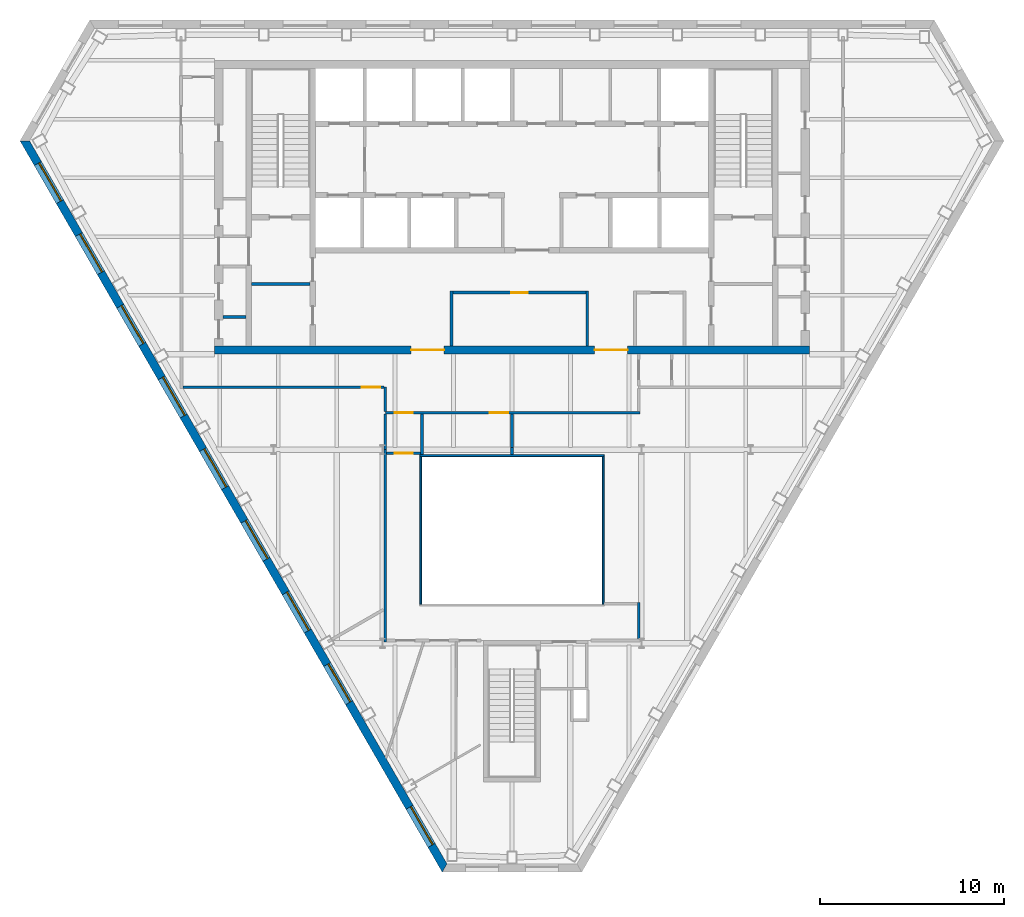
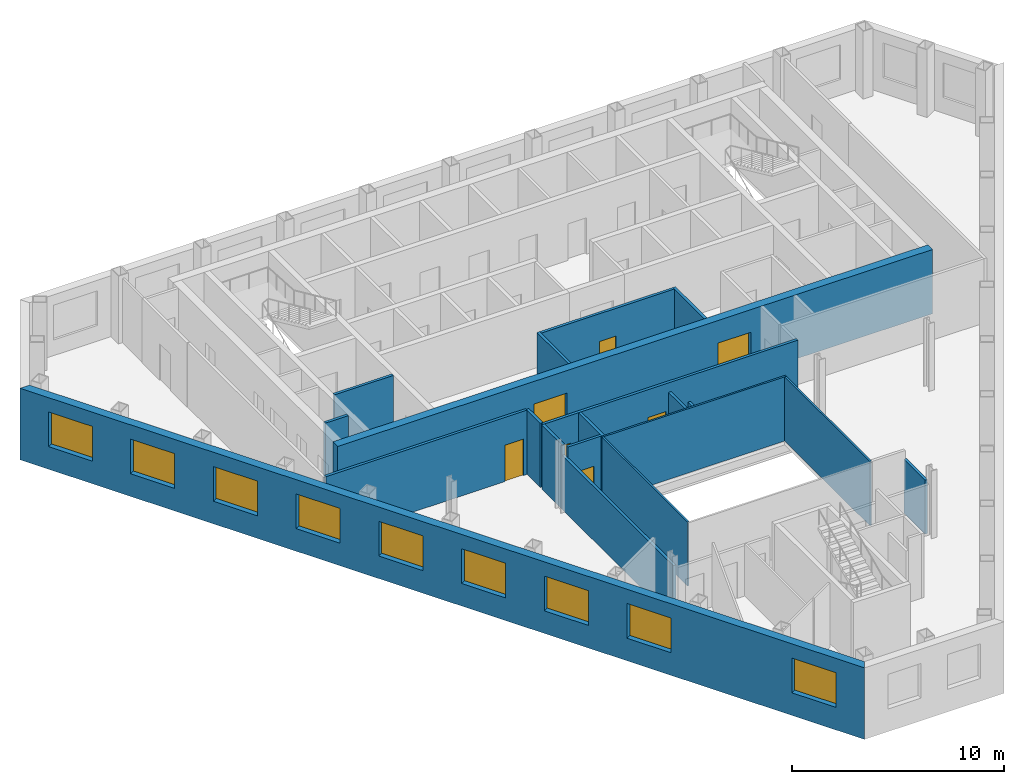
# One storey, part 4 of 10: 20 walls, 9 windows, 7 doors, 16 openings.
"""IFC4 building model written with IfcOpenShell, lengths in metres."""

from ifc_helpers import new_model, si_unit, direction, frame, frame_2d, origin, place, context, subcontext, project, spatial, polyline, rectangle, outline, extrude, material, layer, layer_set, type_object, element, fill, save


model = new_model("IFC4")

# Units and contexts
model_context = context("Model", 3, precision=1e-05, world=origin(), true_north=direction((0.0, 1.0)))
body_context = subcontext(model_context, "Body", "Model", "MODEL_VIEW")
ifc_project = project(units=[si_unit("LENGTHUNIT", "METRE"), si_unit("AREAUNIT", "SQUARE_METRE"), si_unit("VOLUMEUNIT", "CUBIC_METRE"), si_unit("PLANEANGLEUNIT", "RADIAN"), si_unit("MASSUNIT", "GRAM", prefix="KILO")], contexts=[model_context])

# Site, building, storey
site_placement = place(None, origin())
site = spatial("IfcSite", under=ifc_project, at=site_placement, CompositionType="ELEMENT")
building_placement = place(site_placement, origin())
building = spatial("IfcBuilding", under=site, at=building_placement, Name="Njiva Tower", CompositionType="ELEMENT")
storey_placement = place(building_placement, frame((0.0, 0.0, 200.4)))
storey = spatial("IfcBuildingStorey", under=building, at=storey_placement, Name="L44", CompositionType="ELEMENT", Elevation=200.4)

# Walls
ifc_material_1 = material(Name="Blockwork", Category="masonry")
ifc_layer_1 = layer(ifc_material_1, 0.15)
ifc_layer_set_1 = layer_set([ifc_layer_1], Name="Blockwork")
wall_type_1 = type_object("IfcWallType", Name="WT1 Compartment partition 150", PredefinedType="PARTITIONING", material=ifc_layer_set_1)
wall_1_placement = place(storey_placement, frame((-14.2, 5.825, 0.0), z_axis=(0.0, 0.0, 1.0), x_axis=(1.0, 0.0, 0.0)))
element("IfcWall", 1, at=wall_1_placement, inside=storey, type_object=wall_type_1, Name="Room wall A", PredefinedType="PARTITIONING", context=body_context, shape_type="SweptSolid", body=[
    extrude(rectangle(XDim=3.2, YDim=0.15, at=frame_2d((1.6, 0.0))), origin(), (0.0, 0.0, 1.0), 3.7),
])
wall_2_placement = place(storey_placement, frame((-15.75, 4.025, 0.0), z_axis=(0.0, 0.0, 1.0), x_axis=(1.0, 0.0, 0.0)))
element("IfcWall", 2, at=wall_2_placement, inside=storey, type_object=wall_type_1, Name="Partition strip W00", PredefinedType="PARTITIONING", context=body_context, shape_type="SweptSolid", body=[
    extrude(rectangle(XDim=1.25, YDim=0.15, at=frame_2d((0.625, 0.0))), origin(), (0.0, 0.0, 1.0), 3.7),
])
for number, where, z_axis, x_axis, name in (
    (3, (-3.3, 2.45, 0.0), (0.0, 0.0, 1.0), (0.0, 1.0, 0.0), "Parcel room wall west"),
    (4, (4.1, 2.45, 0.0), (0.0, 0.0, 1.0), (0.0, 1.0, 0.0), "Parcel room wall east"),
):
    element("IfcWall", number, at=place(storey_placement, frame(where, z_axis=z_axis, x_axis=x_axis)), inside=storey, type_object=wall_type_1, Name=name, PredefinedType="PARTITIONING", context=body_context, shape_type="SweptSolid", body=[
        extrude(rectangle(XDim=2.975, YDim=0.15, at=frame_2d((1.4875, 0.0))), origin(), (0.0, 0.0, 1.0), 3.7),
    ])

# Wall, opening, door
wall_3_placement = place(storey_placement, frame((-3.225, 5.35, 0.0), z_axis=(0.0, 0.0, 1.0), x_axis=(1.0, 0.0, 0.0)))
wall_3 = element("IfcWall", 5, at=wall_3_placement, inside=storey, type_object=wall_type_1, Name="Parcel room wall north", PredefinedType="PARTITIONING", context=body_context, shape_type="SweptSolid", body=[
    extrude(rectangle(XDim=7.25, YDim=0.15, at=frame_2d((3.625, 0.0))), origin(), (0.0, 0.0, 1.0), 3.7),
])
opening_1_placement = place(wall_3_placement, frame((3.175, 0.0, 0.0)))
opening_1 = element("IfcOpeningElement", 6, at=opening_1_placement, cuts=wall_3, Name="Opening S14-D934", PredefinedType="OPENING", context=body_context, shape_type="SweptSolid", body=[
    extrude(rectangle(XDim=0.9, YDim=2.1, at=frame_2d((0.45, 1.05))), frame((0.0, 0.085, 0.0), z_axis=(0.0, -1.0, 0.0), x_axis=(1.0, 0.0, 0.0)), (0.0, 0.0, 1.0), 0.17),
])
ifc_material_2 = material(Name="Steel fire door, painted", Category="steel")
door_type_1 = type_object("IfcDoorType", Name="D6 Fire-rated door 900x2100", OperationType="SINGLE_SWING_LEFT", PredefinedType="DOOR", material=ifc_material_2)
door_1_placement = place(opening_1_placement, origin())
door_1 = element("IfcDoor", 7, at=door_1_placement, inside=storey, type_object=door_type_1, Name="Parcel room door", OperationType="SINGLE_SWING_LEFT", OverallHeight=2.1, OverallWidth=0.9, PredefinedType="DOOR", context=body_context, shape_type="SweptSolid", body=[
    extrude(rectangle(XDim=0.9, YDim=2.1, at=frame_2d((0.45, 1.05))), frame((0.0, 0.025, 0.0), z_axis=(0.0, -1.0, 0.0), x_axis=(1.0, 0.0, 0.0)), (0.0, 0.0, 1.0), 0.05),
])
fill(opening_1, door_1)

# Wall, openings, doors
ifc_material_3 = material(Name="Concrete C60/75", Category="concrete")
ifc_layer_2 = layer(ifc_material_3, 0.45)
ifc_layer_set_2 = layer_set([ifc_layer_2], Name="Concrete C60/75")
wall_type_2 = type_object("IfcWallType", Name="WT12 Core wall 450", PredefinedType="SHEAR", material=ifc_layer_set_2)
wall_4_placement = place(storey_placement, frame((-16.2, 2.225, 0.0), z_axis=(0.0, 0.0, 1.0), x_axis=(1.0, 0.0, 0.0)))
wall_4 = element("IfcWall", 8, at=wall_4_placement, inside=storey, type_object=wall_type_2, Name="Core wall south", PredefinedType="SHEAR", context=body_context, shape_type="SweptSolid", body=[
    extrude(rectangle(XDim=32.4, YDim=0.45, at=frame_2d((16.2, 0.0))), origin(), (0.0, 0.0, 1.0), 3.7),
])
opening_2_placement = place(wall_4_placement, frame((10.7, 0.0, 0.0)))
opening_2 = element("IfcOpeningElement", 9, at=opening_2_placement, cuts=wall_4, Name="Opening S14-D937", PredefinedType="OPENING", context=body_context, shape_type="SweptSolid", body=[
    extrude(rectangle(XDim=1.8, YDim=2.4, at=frame_2d((0.9, 1.2))), frame((0.0, 0.235, 0.0), z_axis=(0.0, -1.0, 0.0), x_axis=(1.0, 0.0, 0.0)), (0.0, 0.0, 1.0), 0.47),
])
opening_3_placement = place(wall_4_placement, frame((20.7, 0.0, 0.0)))
opening_3 = element("IfcOpeningElement", 10, at=opening_3_placement, cuts=wall_4, Name="Opening S14-D938", PredefinedType="OPENING", context=body_context, shape_type="SweptSolid", body=[
    extrude(rectangle(XDim=1.8, YDim=2.4, at=frame_2d((0.9, 1.2))), frame((0.0, 0.235, 0.0), z_axis=(0.0, -1.0, 0.0), x_axis=(1.0, 0.0, 0.0)), (0.0, 0.0, 1.0), 0.47),
])
ifc_material_4 = material(Name="Steel and glass door", Category="steel")
door_type_2 = type_object("IfcDoorType", Name="D3 Core entrance door 1800x2400", OperationType="DOUBLE_DOOR_SINGLE_SWING", PredefinedType="DOOR", material=ifc_material_4)
door_2_placement = place(opening_2_placement, origin())
door_2 = element("IfcDoor", 11, at=door_2_placement, inside=storey, type_object=door_type_2, Name="Core entrance door", OperationType="DOUBLE_DOOR_SINGLE_SWING", OverallHeight=2.4, OverallWidth=1.8, PredefinedType="DOOR", context=body_context, shape_type="SweptSolid", body=[
    extrude(rectangle(XDim=1.8, YDim=2.4, at=frame_2d((0.9, 1.2))), frame((0.0, 0.025, 0.0), z_axis=(0.0, -1.0, 0.0), x_axis=(1.0, 0.0, 0.0)), (0.0, 0.0, 1.0), 0.05),
])
fill(opening_2, door_2)
door_3_placement = place(opening_3_placement, origin())
door_3 = element("IfcDoor", 12, at=door_3_placement, inside=storey, type_object=door_type_2, Name="Core entrance door", OperationType="DOUBLE_DOOR_SINGLE_SWING", OverallHeight=2.4, OverallWidth=1.8, PredefinedType="DOOR", context=body_context, shape_type="SweptSolid", body=[
    extrude(rectangle(XDim=1.8, YDim=2.4, at=frame_2d((0.9, 1.2))), frame((0.0, 0.025, 0.0), z_axis=(0.0, -1.0, 0.0), x_axis=(1.0, 0.0, 0.0)), (0.0, 0.0, 1.0), 0.05),
])
fill(opening_3, door_3)

# Wall, opening, door
ifc_material_5 = material(Name="Gypsum board on steel studs", Category="gypsum")
ifc_layer_3 = layer(ifc_material_5, 0.15)
ifc_layer_set_3 = layer_set([ifc_layer_3], Name="Gypsum board on steel studs")
wall_type_3 = type_object("IfcWallType", Name="WT21 Compartment wall 150", PredefinedType="PARTITIONING", material=ifc_layer_set_3)
wall_5_placement = place(storey_placement, frame((-17.925, 0.2, 0.0), z_axis=(0.0, 0.0, 1.0), x_axis=(1.0, 0.0, 0.0)))
wall_5 = element("IfcWall", 13, at=wall_5_placement, inside=storey, type_object=wall_type_3, Name="Partition S14-P005", PredefinedType="PARTITIONING", context=body_context, shape_type="SweptSolid", body=[
    extrude(rectangle(XDim=10.95, YDim=0.15, at=frame_2d((5.475, 0.0))), origin(), (0.0, 0.0, 1.0), 3.7),
])
opening_4_placement = place(wall_5_placement, frame((9.75, 0.0, 0.0)))
opening_4 = element("IfcOpeningElement", 14, at=opening_4_placement, cuts=wall_5, Name="Opening S14-D003", PredefinedType="OPENING", context=body_context, shape_type="SweptSolid", body=[
    extrude(rectangle(XDim=1.0, YDim=2.1, at=frame_2d((0.5, 1.05))), frame((0.0, 0.085, 0.0), z_axis=(0.0, -1.0, 0.0), x_axis=(1.0, 0.0, 0.0)), (0.0, 0.0, 1.0), 0.17),
])
ifc_material_6 = material(Name="Steel fire door set", Category="steel")
door_type_3 = type_object("IfcDoorType", Name="D37 Fire door 1000x2100", OperationType="SINGLE_SWING_LEFT", PredefinedType="DOOR", material=ifc_material_6)
door_4_placement = place(opening_4_placement, origin())
door_4 = element("IfcDoor", 15, at=door_4_placement, inside=storey, type_object=door_type_3, Name="Door S14-D003", OperationType="SINGLE_SWING_LEFT", OverallHeight=2.1, OverallWidth=1.0, PredefinedType="DOOR", context=body_context, shape_type="SweptSolid", body=[
    extrude(rectangle(XDim=1.0, YDim=2.1, at=frame_2d((0.5, 1.05))), frame((0.0, 0.025, 0.0), z_axis=(0.0, -1.0, 0.0), x_axis=(1.0, 0.0, 0.0)), (0.0, 0.0, 1.0), 0.05),
])
fill(opening_4, door_4)

# Walls
wall_6_placement = place(storey_placement, frame((-6.9, -13.675, 0.0), z_axis=(0.0, 0.0, 1.0), x_axis=(0.0, 1.0, 0.0)))
element("IfcWall", 16, at=wall_6_placement, inside=storey, type_object=wall_type_3, Name="Partition S14-P007", PredefinedType="PARTITIONING", context=body_context, shape_type="SweptSolid", body=[
    extrude(rectangle(XDim=10.475, YDim=0.15, at=frame_2d((5.2375, 0.0))), origin(), (0.0, 0.0, 1.0), 3.11),
])
wall_7_placement = place(storey_placement, frame((-6.9, -3.2, 0.0), z_axis=(0.0, 0.0, 1.0), x_axis=(0.0, 1.0, 0.0)))
element("IfcWall", 17, at=wall_7_placement, inside=storey, type_object=wall_type_3, Name="Partition S14-P007A", PredefinedType="PARTITIONING", context=body_context, shape_type="SweptSolid", body=[
    extrude(rectangle(XDim=1.925, YDim=0.15, at=frame_2d((0.9625, 0.0))), origin(), (0.0, 0.0, 1.0), 3.7),
])

# Wall, openings, doors
wall_8_placement = place(storey_placement, frame((-6.9, -1.2, 0.0), z_axis=(0.0, 0.0, 1.0), x_axis=(1.0, 0.0, 0.0)))
wall_8 = element("IfcWall", 18, at=wall_8_placement, inside=storey, type_object=wall_type_3, Name="Partition S14-P008", PredefinedType="PARTITIONING", context=body_context, shape_type="SweptSolid", body=[
    extrude(rectangle(XDim=13.875, YDim=0.15, at=frame_2d((6.9375, 0.0))), origin(), (0.0, 0.0, 1.0), 3.7),
])
opening_5_placement = place(wall_8_placement, frame((0.5, 0.0, 0.0)))
opening_5 = element("IfcOpeningElement", 19, at=opening_5_placement, cuts=wall_8, Name="Opening S14-D004", PredefinedType="OPENING", context=body_context, shape_type="SweptSolid", body=[
    extrude(rectangle(XDim=1.0, YDim=2.1, at=frame_2d((0.5, 1.05))), frame((0.0, 0.085, 0.0), z_axis=(0.0, -1.0, 0.0), x_axis=(1.0, 0.0, 0.0)), (0.0, 0.0, 1.0), 0.17),
])
opening_6_placement = place(wall_8_placement, frame((5.699, 0.0, 0.0)))
opening_6 = element("IfcOpeningElement", 20, at=opening_6_placement, cuts=wall_8, Name="Opening S14-D005", PredefinedType="OPENING", context=body_context, shape_type="SweptSolid", body=[
    extrude(rectangle(XDim=1.0, YDim=2.1, at=frame_2d((0.5, 1.05))), frame((0.0, 0.085, 0.0), z_axis=(0.0, -1.0, 0.0), x_axis=(1.0, 0.0, 0.0)), (0.0, 0.0, 1.0), 0.17),
])
door_5_placement = place(opening_5_placement, origin())
door_5 = element("IfcDoor", 21, at=door_5_placement, inside=storey, type_object=door_type_3, Name="Door S14-D004", OperationType="SINGLE_SWING_RIGHT", OverallHeight=2.1, OverallWidth=1.0, PredefinedType="DOOR", context=body_context, shape_type="SweptSolid", body=[
    extrude(rectangle(XDim=1.0, YDim=2.1, at=frame_2d((0.5, 1.05))), frame((0.0, 0.025, 0.0), z_axis=(0.0, -1.0, 0.0), x_axis=(1.0, 0.0, 0.0)), (0.0, 0.0, 1.0), 0.05),
])
fill(opening_5, door_5)
door_6_placement = place(opening_6_placement, origin())
door_6 = element("IfcDoor", 22, at=door_6_placement, inside=storey, type_object=door_type_3, Name="Door S14-D005", OperationType="SINGLE_SWING_LEFT", OverallHeight=2.1, OverallWidth=1.0, PredefinedType="DOOR", context=body_context, shape_type="SweptSolid", body=[
    extrude(rectangle(XDim=1.0, YDim=2.1, at=frame_2d((0.5, 1.05))), frame((0.0, 0.025, 0.0), z_axis=(0.0, -1.0, 0.0), x_axis=(1.0, 0.0, 0.0)), (0.0, 0.0, 1.0), 0.05),
])
fill(opening_6, door_6)

# Wall
wall_9_placement = place(storey_placement, frame((-6.9, -1.125, 0.0), z_axis=(0.0, 0.0, 1.0), x_axis=(0.0, 1.0, 0.0)))
element("IfcWall", 23, at=wall_9_placement, inside=storey, type_object=wall_type_3, Name="Partition S14-P009", PredefinedType="PARTITIONING", context=body_context, shape_type="SweptSolid", body=[
    extrude(rectangle(XDim=1.321, YDim=0.15, at=frame_2d((0.6605, 0.0))), origin(), (0.0, 0.0, 1.0), 3.7),
])

# Wall, opening, door
wall_10_placement = place(storey_placement, frame((-6.825, -3.4, 0.0), z_axis=(0.0, 0.0, 1.0), x_axis=(1.0, 0.0, 0.0)))
wall_10 = element("IfcWall", 24, at=wall_10_placement, inside=storey, type_object=wall_type_3, Name="Partition S14-P012", PredefinedType="PARTITIONING", context=body_context, shape_type="SweptSolid", body=[
    extrude(rectangle(XDim=1.851, YDim=0.15, at=frame_2d((0.9255, 0.0))), origin(), (0.0, 0.0, 1.0), 3.7),
])
opening_7_placement = place(wall_10_placement, frame((0.425, 0.0, 0.0)))
opening_7 = element("IfcOpeningElement", 25, at=opening_7_placement, cuts=wall_10, Name="Opening S14-D009", PredefinedType="OPENING", context=body_context, shape_type="SweptSolid", body=[
    extrude(rectangle(XDim=1.0, YDim=2.1, at=frame_2d((0.5, 1.05))), frame((0.0, 0.085, 0.0), z_axis=(0.0, -1.0, 0.0), x_axis=(1.0, 0.0, 0.0)), (0.0, 0.0, 1.0), 0.17),
])
door_7_placement = place(opening_7_placement, origin())
door_7 = element("IfcDoor", 26, at=door_7_placement, inside=storey, type_object=door_type_3, Name="Door S14-D009", OperationType="SINGLE_SWING_RIGHT", OverallHeight=2.1, OverallWidth=1.0, PredefinedType="DOOR", context=body_context, shape_type="SweptSolid", body=[
    extrude(rectangle(XDim=1.0, YDim=2.1, at=frame_2d((0.5, 1.05))), frame((0.0, 0.025, 0.0), z_axis=(0.0, -1.0, 0.0), x_axis=(1.0, 0.0, 0.0)), (0.0, 0.0, 1.0), 0.05),
])
fill(opening_7, door_7)

# Walls
wall_11_placement = place(storey_placement, frame((-4.899, -3.48, 0.0), z_axis=(0.0, 0.0, 1.0), x_axis=(-0.000453514693, 0.999999897162, 0.0)))
element("IfcWall", 27, at=wall_11_placement, inside=storey, type_object=wall_type_3, Name="Partition S14-P014", PredefinedType="PARTITIONING", context=body_context, shape_type="SweptSolid", body=[
    extrude(rectangle(XDim=2.205, YDim=0.15, at=frame_2d((1.1025, 0.0))), origin(), (0.0, 0.0, 1.0), 3.7),
])
wall_12_placement = place(storey_placement, frame((-0.001, -1.275, 0.0), z_axis=(0.0, 0.0, 1.0), x_axis=(0.000438356122, -0.999999903922, 0.0)))
element("IfcWall", 28, at=wall_12_placement, inside=storey, type_object=wall_type_3, Name="Partition S14-P017", PredefinedType="PARTITIONING", context=body_context, shape_type="SweptSolid", body=[
    extrude(rectangle(XDim=1.825, YDim=0.15, at=frame_2d((0.9125, 0.0))), origin(), (0.0, 0.0, 1.0), 3.15),
])
wall_13_placement = place(storey_placement, frame((-0.0002, -3.1, 0.0), z_axis=(0.0, 0.0, 1.0), x_axis=(0.000526315717, -0.999999861496, 0.0)))
element("IfcWall", 29, at=wall_13_placement, inside=storey, type_object=wall_type_3, Name="Partition S14-P017A", PredefinedType="PARTITIONING", context=body_context, shape_type="SweptSolid", body=[
    extrude(rectangle(XDim=0.38, YDim=0.15, at=frame_2d((0.19, 0.0))), origin(), (0.0, 0.0, 1.0), 3.7),
])
wall_14_placement = place(storey_placement, frame((6.9, -13.525, 0.0), z_axis=(0.0, 0.0, 1.0), x_axis=(0.0, 1.0, 0.0)))
element("IfcWall", 30, at=wall_14_placement, inside=storey, type_object=wall_type_3, Name="Partition S14-P020", PredefinedType="PARTITIONING", context=body_context, shape_type="SweptSolid", body=[
    extrude(rectangle(XDim=2.0, YDim=0.15, at=frame_2d((1.0, 0.0))), origin(), (0.0, 0.0, 1.0), 3.11),
])

# Wall, openings, windows
ifc_material_7 = material(Name="Brick masonry", Category="masonry")
ifc_layer_4 = layer(ifc_material_7, 0.45)
ifc_layer_set_4 = layer_set([ifc_layer_4], Name="Brick masonry")
wall_type_4 = type_object("IfcWallType", Name="WT90 Brick pier and spandrel wall 450", PredefinedType="SOLIDWALL", material=ifc_layer_set_4)
wall_15_placement = place(storey_placement, frame((-26.5402, 13.6182, -0.4), z_axis=(0.0, 0.0, 1.0), x_axis=(0.499999764979, -0.866025539474, 0.0)))
wall_15 = element("IfcWall", 31, at=wall_15_placement, inside=storey, type_object=wall_type_4, Name="Facade wall SW", PredefinedType="SOLIDWALL", context=body_context, shape_type="SweptSolid", body=[
    extrude(outline(polyline([(-0.1299, -0.225), (45.8701, -0.225), (45.6103, 0.225), (0.1299, 0.225), (-0.1299, -0.225)])), origin(), (0.0, 0.0, 1.0), 4.12),
])
opening_8_placement = place(wall_15_placement, frame((1.4242, 0.0, 1.3)))
opening_8 = element("IfcOpeningElement", 32, at=opening_8_placement, cuts=wall_15, Name="Opening S14-W12", PredefinedType="OPENING", context=body_context, shape_type="SweptSolid", body=[
    extrude(rectangle(XDim=2.4, YDim=2.0, at=frame_2d((1.2, 1.0))), frame((0.0, 0.235, 0.0), z_axis=(0.0, -1.0, 0.0), x_axis=(1.0, 0.0, 0.0)), (0.0, 0.0, 1.0), 0.47),
])
opening_9_placement = place(wall_15_placement, frame((5.8934, 0.0, 1.3)))
opening_9 = element("IfcOpeningElement", 33, at=opening_9_placement, cuts=wall_15, Name="Opening S14-W13", PredefinedType="OPENING", context=body_context, shape_type="SweptSolid", body=[
    extrude(rectangle(XDim=2.4, YDim=2.0, at=frame_2d((1.2, 1.0))), frame((0.0, 0.235, 0.0), z_axis=(0.0, -1.0, 0.0), x_axis=(1.0, 0.0, 0.0)), (0.0, 0.0, 1.0), 0.47),
])
opening_10_placement = place(wall_15_placement, frame((10.401, 0.0, 1.3)))
opening_10 = element("IfcOpeningElement", 34, at=opening_10_placement, cuts=wall_15, Name="Opening S14-W14", PredefinedType="OPENING", context=body_context, shape_type="SweptSolid", body=[
    extrude(rectangle(XDim=2.4, YDim=2.0, at=frame_2d((1.2, 1.0))), frame((0.0, 0.235, 0.0), z_axis=(0.0, -1.0, 0.0), x_axis=(1.0, 0.0, 0.0)), (0.0, 0.0, 1.0), 0.47),
])
opening_11_placement = place(wall_15_placement, frame((14.9087, 0.0, 1.3)))
opening_11 = element("IfcOpeningElement", 35, at=opening_11_placement, cuts=wall_15, Name="Opening S14-W15", PredefinedType="OPENING", context=body_context, shape_type="SweptSolid", body=[
    extrude(rectangle(XDim=2.4, YDim=2.0, at=frame_2d((1.2, 1.0))), frame((0.0, 0.235, 0.0), z_axis=(0.0, -1.0, 0.0), x_axis=(1.0, 0.0, 0.0)), (0.0, 0.0, 1.0), 0.47),
])
opening_12_placement = place(wall_15_placement, frame((19.4163, 0.0, 1.3)))
opening_12 = element("IfcOpeningElement", 36, at=opening_12_placement, cuts=wall_15, Name="Opening S14-W16", PredefinedType="OPENING", context=body_context, shape_type="SweptSolid", body=[
    extrude(rectangle(XDim=2.4, YDim=2.0, at=frame_2d((1.2, 1.0))), frame((0.0, 0.235, 0.0), z_axis=(0.0, -1.0, 0.0), x_axis=(1.0, 0.0, 0.0)), (0.0, 0.0, 1.0), 0.47),
])
opening_13_placement = place(wall_15_placement, frame((23.9239, 0.0, 1.3)))
opening_13 = element("IfcOpeningElement", 37, at=opening_13_placement, cuts=wall_15, Name="Opening S14-W17", PredefinedType="OPENING", context=body_context, shape_type="SweptSolid", body=[
    extrude(rectangle(XDim=2.4, YDim=2.0, at=frame_2d((1.2, 1.0))), frame((0.0, 0.235, 0.0), z_axis=(0.0, -1.0, 0.0), x_axis=(1.0, 0.0, 0.0)), (0.0, 0.0, 1.0), 0.47),
])
opening_14_placement = place(wall_15_placement, frame((28.4315, 0.0, 1.3)))
opening_14 = element("IfcOpeningElement", 38, at=opening_14_placement, cuts=wall_15, Name="Opening S14-W18", PredefinedType="OPENING", context=body_context, shape_type="SweptSolid", body=[
    extrude(rectangle(XDim=2.4, YDim=2.0, at=frame_2d((1.2, 1.0))), frame((0.0, 0.235, 0.0), z_axis=(0.0, -1.0, 0.0), x_axis=(1.0, 0.0, 0.0)), (0.0, 0.0, 1.0), 0.47),
])
opening_15_placement = place(wall_15_placement, frame((32.9391, 0.0, 1.3)))
opening_15 = element("IfcOpeningElement", 39, at=opening_15_placement, cuts=wall_15, Name="Opening S14-W19", PredefinedType="OPENING", context=body_context, shape_type="SweptSolid", body=[
    extrude(rectangle(XDim=2.4, YDim=2.0, at=frame_2d((1.2, 1.0))), frame((0.0, 0.235, 0.0), z_axis=(0.0, -1.0, 0.0), x_axis=(1.0, 0.0, 0.0)), (0.0, 0.0, 1.0), 0.47),
])
opening_16_placement = place(wall_15_placement, frame((41.916, 0.0, 1.3)))
opening_16 = element("IfcOpeningElement", 40, at=opening_16_placement, cuts=wall_15, Name="Opening S14-W20", PredefinedType="OPENING", context=body_context, shape_type="SweptSolid", body=[
    extrude(rectangle(XDim=2.4, YDim=2.0, at=frame_2d((1.2, 1.0))), frame((0.0, 0.235, 0.0), z_axis=(0.0, -1.0, 0.0), x_axis=(1.0, 0.0, 0.0)), (0.0, 0.0, 1.0), 0.47),
])
ifc_material_8 = material(Name="Clear glazing in aluminium frame", Category="aluminium")
window_type = type_object("IfcWindowType", Name="W90 Deep-set window 2400x2000", PartitioningType="SINGLE_PANEL", PredefinedType="WINDOW", material=ifc_material_8)
window_1_placement = place(opening_8_placement, origin())
window_1 = element("IfcWindow", 41, at=window_1_placement, inside=storey, type_object=window_type, Name="Window", OverallHeight=2.0, OverallWidth=2.4, PartitioningType="SINGLE_PANEL", PredefinedType="WINDOW", context=body_context, shape_type="SweptSolid", body=[
    extrude(rectangle(XDim=2.4, YDim=2.0, at=frame_2d((1.2, 1.0))), frame((0.0, 0.105, 0.0), z_axis=(0.0, -1.0, 0.0), x_axis=(1.0, 0.0, 0.0)), (0.0, 0.0, 1.0), 0.06),
])
fill(opening_8, window_1)
window_2_placement = place(opening_9_placement, origin())
window_2 = element("IfcWindow", 42, at=window_2_placement, inside=storey, type_object=window_type, Name="Window", OverallHeight=2.0, OverallWidth=2.4, PartitioningType="SINGLE_PANEL", PredefinedType="WINDOW", context=body_context, shape_type="SweptSolid", body=[
    extrude(rectangle(XDim=2.4, YDim=2.0, at=frame_2d((1.2, 1.0))), frame((0.0, 0.105, 0.0), z_axis=(0.0, -1.0, 0.0), x_axis=(1.0, 0.0, 0.0)), (0.0, 0.0, 1.0), 0.06),
])
fill(opening_9, window_2)
window_3_placement = place(opening_10_placement, origin())
window_3 = element("IfcWindow", 43, at=window_3_placement, inside=storey, type_object=window_type, Name="Window", OverallHeight=2.0, OverallWidth=2.4, PartitioningType="SINGLE_PANEL", PredefinedType="WINDOW", context=body_context, shape_type="SweptSolid", body=[
    extrude(rectangle(XDim=2.4, YDim=2.0, at=frame_2d((1.2, 1.0))), frame((0.0, 0.105, 0.0), z_axis=(0.0, -1.0, 0.0), x_axis=(1.0, 0.0, 0.0)), (0.0, 0.0, 1.0), 0.06),
])
fill(opening_10, window_3)
window_4_placement = place(opening_11_placement, origin())
window_4 = element("IfcWindow", 44, at=window_4_placement, inside=storey, type_object=window_type, Name="Window", OverallHeight=2.0, OverallWidth=2.4, PartitioningType="SINGLE_PANEL", PredefinedType="WINDOW", context=body_context, shape_type="SweptSolid", body=[
    extrude(rectangle(XDim=2.4, YDim=2.0, at=frame_2d((1.2, 1.0))), frame((0.0, 0.105, 0.0), z_axis=(0.0, -1.0, 0.0), x_axis=(1.0, 0.0, 0.0)), (0.0, 0.0, 1.0), 0.06),
])
fill(opening_11, window_4)
window_5_placement = place(opening_12_placement, origin())
window_5 = element("IfcWindow", 45, at=window_5_placement, inside=storey, type_object=window_type, Name="Window", OverallHeight=2.0, OverallWidth=2.4, PartitioningType="SINGLE_PANEL", PredefinedType="WINDOW", context=body_context, shape_type="SweptSolid", body=[
    extrude(rectangle(XDim=2.4, YDim=2.0, at=frame_2d((1.2, 1.0))), frame((0.0, 0.105, 0.0), z_axis=(0.0, -1.0, 0.0), x_axis=(1.0, 0.0, 0.0)), (0.0, 0.0, 1.0), 0.06),
])
fill(opening_12, window_5)
window_6_placement = place(opening_13_placement, origin())
window_6 = element("IfcWindow", 46, at=window_6_placement, inside=storey, type_object=window_type, Name="Window", OverallHeight=2.0, OverallWidth=2.4, PartitioningType="SINGLE_PANEL", PredefinedType="WINDOW", context=body_context, shape_type="SweptSolid", body=[
    extrude(rectangle(XDim=2.4, YDim=2.0, at=frame_2d((1.2, 1.0))), frame((0.0, 0.105, 0.0), z_axis=(0.0, -1.0, 0.0), x_axis=(1.0, 0.0, 0.0)), (0.0, 0.0, 1.0), 0.06),
])
fill(opening_13, window_6)
window_7_placement = place(opening_14_placement, origin())
window_7 = element("IfcWindow", 47, at=window_7_placement, inside=storey, type_object=window_type, Name="Window", OverallHeight=2.0, OverallWidth=2.4, PartitioningType="SINGLE_PANEL", PredefinedType="WINDOW", context=body_context, shape_type="SweptSolid", body=[
    extrude(rectangle(XDim=2.4, YDim=2.0, at=frame_2d((1.2, 1.0))), frame((0.0, 0.105, 0.0), z_axis=(0.0, -1.0, 0.0), x_axis=(1.0, 0.0, 0.0)), (0.0, 0.0, 1.0), 0.06),
])
fill(opening_14, window_7)
window_8_placement = place(opening_15_placement, origin())
window_8 = element("IfcWindow", 48, at=window_8_placement, inside=storey, type_object=window_type, Name="Window", OverallHeight=2.0, OverallWidth=2.4, PartitioningType="SINGLE_PANEL", PredefinedType="WINDOW", context=body_context, shape_type="SweptSolid", body=[
    extrude(rectangle(XDim=2.4, YDim=2.0, at=frame_2d((1.2, 1.0))), frame((0.0, 0.105, 0.0), z_axis=(0.0, -1.0, 0.0), x_axis=(1.0, 0.0, 0.0)), (0.0, 0.0, 1.0), 0.06),
])
fill(opening_15, window_8)
window_9_placement = place(opening_16_placement, origin())
window_9 = element("IfcWindow", 49, at=window_9_placement, inside=storey, type_object=window_type, Name="Window", OverallHeight=2.0, OverallWidth=2.4, PartitioningType="SINGLE_PANEL", PredefinedType="WINDOW", context=body_context, shape_type="SweptSolid", body=[
    extrude(rectangle(XDim=2.4, YDim=2.0, at=frame_2d((1.2, 1.0))), frame((0.0, 0.105, 0.0), z_axis=(0.0, -1.0, 0.0), x_axis=(1.0, 0.0, 0.0)), (0.0, 0.0, 1.0), 0.06),
])
fill(opening_16, window_9)

# Walls
ifc_material_9 = material(Name="Fire-resisting glazing EI 90", Category="glass")
ifc_layer_5 = layer(ifc_material_9, 0.1)
ifc_layer_set_5 = layer_set([ifc_layer_5], Name="Fire-resisting glazing EI 90")
wall_type_5 = type_object("IfcWallType", Name="WT95 Fire-resisting glazed screen EI 90", PredefinedType="PARTITIONING", material=ifc_layer_set_5)
wall_16_placement = place(storey_placement, frame((4.97, -11.62, 0.0), z_axis=(0.0, 0.0, 1.0), x_axis=(0.0, 1.0, 0.0)))
element("IfcWall", 50, at=wall_16_placement, inside=storey, type_object=wall_type_5, Name="Atrium fire screen east", PredefinedType="PARTITIONING", context=body_context, shape_type="SweptSolid", body=[
    extrude(rectangle(XDim=8.04, YDim=0.1, at=frame_2d((4.02, 0.0))), origin(), (0.0, 0.0, 1.0), 3.7),
])
wall_17_placement = place(storey_placement, frame((5.02, -3.53, 0.0), z_axis=(0.0, 0.0, 1.0), x_axis=(-1.0, 0.0, 0.0)))
element("IfcWall", 51, at=wall_17_placement, inside=storey, type_object=wall_type_5, Name="Atrium fire screen north", PredefinedType="PARTITIONING", context=body_context, shape_type="SweptSolid", body=[
    extrude(rectangle(XDim=10.04, YDim=0.1, at=frame_2d((5.02, 0.0))), origin(), (0.0, 0.0, 1.0), 3.7),
])
wall_18_placement = place(storey_placement, frame((-4.97, -3.58, 0.0), z_axis=(0.0, 0.0, 1.0), x_axis=(0.0, -1.0, 0.0)))
element("IfcWall", 52, at=wall_18_placement, inside=storey, type_object=wall_type_5, Name="Atrium fire screen west", PredefinedType="PARTITIONING", context=body_context, shape_type="SweptSolid", body=[
    extrude(rectangle(XDim=8.04, YDim=0.1, at=frame_2d((4.02, 0.0))), origin(), (0.0, 0.0, 1.0), 3.7),
])

save(model, "model.ifc")
